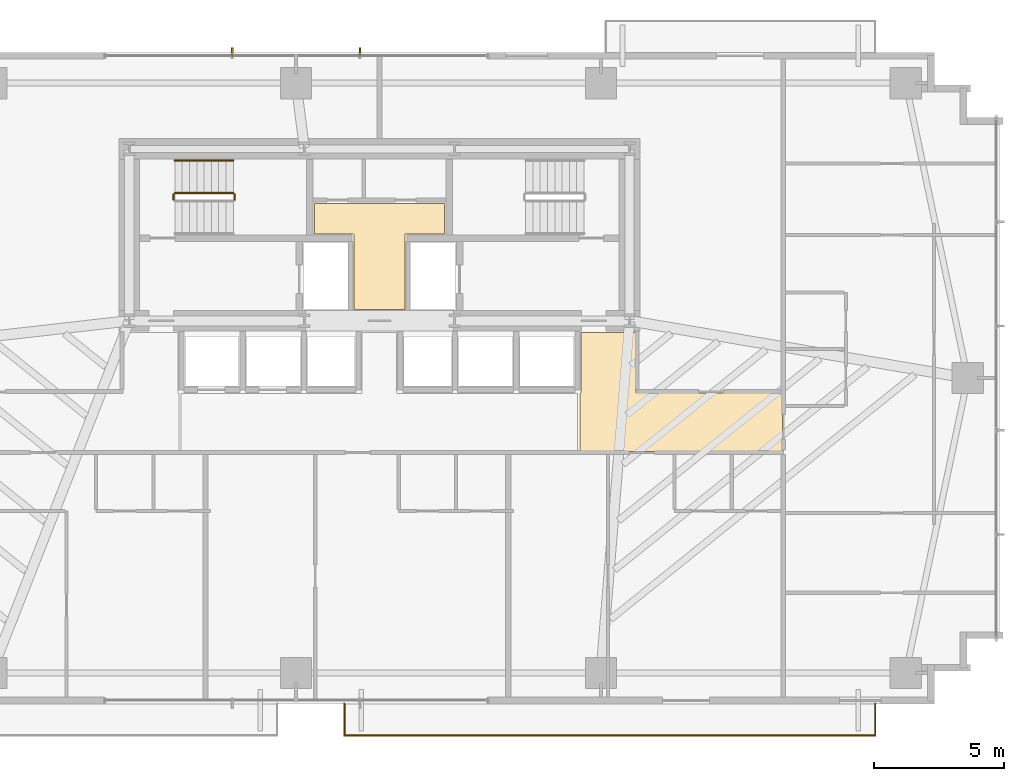
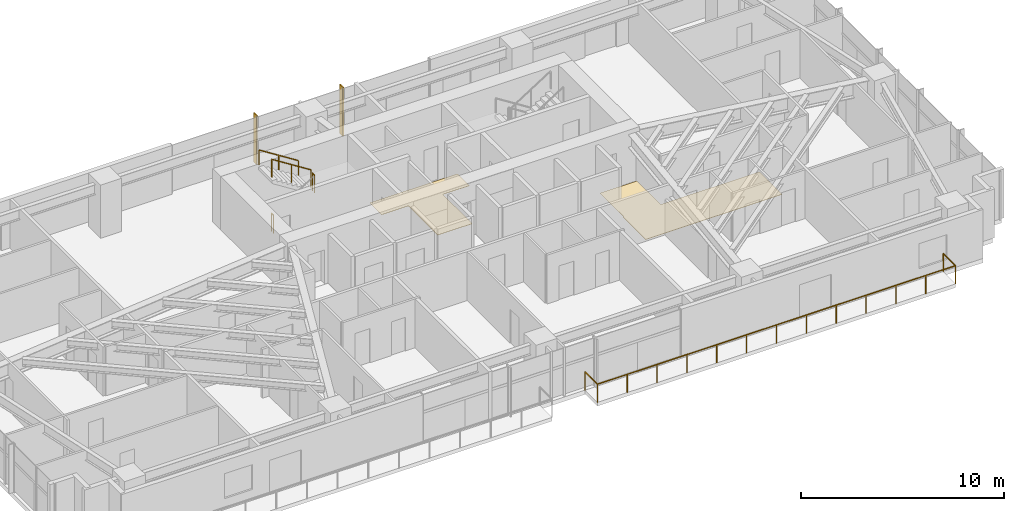
# One storey, part 24 of 25: 5 railings, 2 coverings, 2 shading devices.
"""IFC4 building model written with IfcOpenShell, lengths in metres."""

from ifc_helpers import new_model, si_unit, direction, frame, origin, origin_2d, place, context, subcontext, project, spatial, polyline, rectangle, outline, extrude, source, transform, mapped, material, layer, layer_set, type_object, type_shapes, element, save


model = new_model("IFC4")

# Units and contexts
model_context = context("Model", 3, precision=1e-05, world=origin(), true_north=direction((0.0, 1.0)))
body_context = subcontext(model_context, "Body", "Model", "MODEL_VIEW")
ifc_project = project(units=[si_unit("LENGTHUNIT", "METRE"), si_unit("AREAUNIT", "SQUARE_METRE"), si_unit("VOLUMEUNIT", "CUBIC_METRE"), si_unit("PLANEANGLEUNIT", "RADIAN"), si_unit("MASSUNIT", "GRAM", prefix="KILO")], contexts=[model_context])

# Site, building, storey
site_placement = place(None, origin())
site = spatial("IfcSite", under=ifc_project, at=site_placement, CompositionType="ELEMENT")
building_placement = place(site_placement, origin())
building = spatial("IfcBuilding", under=site, at=building_placement, Name="Astriad Promenade Condominiums", CompositionType="ELEMENT")
storey_placement = place(building_placement, frame((0.0, 0.0, 58.199951171875)))
storey = spatial("IfcBuildingStorey", under=building, at=storey_placement, Name="L16", CompositionType="ELEMENT", Elevation=58.199951171875)

# Coverings
ifc_material_1 = material(Name="Polished Lakefront Terrazzo Flooring")
ifc_layer = layer(ifc_material_1, 0.02001953125)
ifc_layer_set = layer_set([ifc_layer], Name="Polished Lakefront Terrazzo Flooring")
covering_type = type_object("IfcCoveringType", Name="COV-FLOR-TERRAZZO-20", PredefinedType="FLOORING", material=ifc_layer_set)
covering_1_placement = place(storey_placement, origin())
element("IfcCovering", 1, at=covering_1_placement, inside=storey, type_object=covering_type, Name="FLR-L16-CSL", PredefinedType="FLOORING", context=body_context, shape_type="SweptSolid", body=[
    extrude(outline(polyline([(36.97998046875, 20.699951171875), (36.97998046875, 17.840087890625), (35.02001953125, 17.840087890625), (35.02001953125, 20.699951171875), (35.019775390625, 20.703857421875), (35.019287109375, 20.707763671875), (35.018310546875, 20.711669921875), (35.01708984375, 20.71533203125), (35.015380859375, 20.718994140625), (35.01318359375, 20.72216796875), (35.010986328125, 20.725341796875), (35.00830078125, 20.728271484375), (35.00537109375, 20.73095703125), (35.002197265625, 20.7333984375), (34.998779296875, 20.7353515625), (34.995361328125, 20.737060546875), (34.99169921875, 20.73828125), (34.98779296875, 20.7392578125), (34.98388671875, 20.73974609375), (34.97998046875, 20.739990234375), (33.5, 20.739990234375), (33.5, 21.909912109375), (38.5, 21.909912109375), (38.5, 20.739990234375), (37.02001953125, 20.739990234375), (37.01611328125, 20.73974609375), (37.01220703125, 20.7392578125), (37.00830078125, 20.73828125), (37.004638671875, 20.737060546875), (37.001220703125, 20.7353515625), (36.997802734375, 20.7333984375), (36.99462890625, 20.73095703125), (36.99169921875, 20.728271484375), (36.989013671875, 20.725341796875), (36.98681640625, 20.72216796875), (36.984619140625, 20.718994140625), (36.98291015625, 20.71533203125), (36.981689453125, 20.711669921875), (36.980712890625, 20.707763671875), (36.980224609375, 20.703857421875), (36.97998046875, 20.699951171875)])), origin(), (0.0, 0.0, 1.0), 0.02001953125),
])
covering_2_placement = place(storey_placement, origin())
element("IfcCovering", 2, at=covering_2_placement, inside=storey, type_object=covering_type, Name="FLR-L16-COR-1", PredefinedType="FLOORING", context=body_context, shape_type="SweptSolid", body=[
    extrude(outline(polyline([(43.699951171875, 12.389892578125), (43.699951171875, 14.610107421875), (43.703857421875, 14.610107421875), (43.707763671875, 14.61083984375), (43.711669921875, 14.61181640625), (43.71533203125, 14.613037109375), (43.718994140625, 14.61474609375), (43.72216796875, 14.61669921875), (43.725341796875, 14.619140625), (43.728271484375, 14.62158203125), (43.73095703125, 14.62451171875), (43.7333984375, 14.627685546875), (43.7353515625, 14.631103515625), (43.737060546875, 14.634765625), (43.73828125, 14.638427734375), (43.7392578125, 14.64208984375), (43.73974609375, 14.64599609375), (43.739990234375, 14.64990234375), (43.739990234375, 16.9599609375), (45.840087890625, 16.9599609375), (45.840087890625, 14.659912109375), (45.840087890625, 14.656005859375), (45.8408203125, 14.652099609375), (45.841796875, 14.6484375), (45.843017578125, 14.644775390625), (45.8447265625, 14.64111328125), (45.8466796875, 14.6376953125), (45.84912109375, 14.634521484375), (45.851806640625, 14.631591796875), (45.8544921875, 14.629150390625), (45.85791015625, 14.626708984375), (45.861083984375, 14.624755859375), (45.86474609375, 14.623046875), (45.868408203125, 14.62158203125), (45.872314453125, 14.620849609375), (45.876220703125, 14.6201171875), (45.8798828125, 14.6201171875), (51.4599609375, 14.6201171875), (51.4599609375, 12.389892578125), (43.699951171875, 12.389892578125)])), origin(), (0.0, 0.0, 1.0), 0.02001953125),
])

# Shading devices
ifc_material_2 = material(Name="Anodised aluminium 6063-T6 Black Fin", Category="aluminium")
shading_device_type = type_object("IfcShadingDeviceType", Name="FIN-BLACK-320", PredefinedType="USERDEFINED", material=ifc_material_2)
shared_shape_1 = source(origin(), body_context, "Body", "SweptSolid", [
    extrude(rectangle(XDim=0.06494140625, YDim=0.320068359375, at=origin_2d()), origin(), (0.0, 0.0, 1.0), 2.93994140625),
])
type_shapes(shading_device_type, [shared_shape_1])
for number, where, z_axis, x_axis, name in (
    (3, (30.35009765625, 27.7099609375, 0.0), (0.0, 0.0, 1.0), (1.0, 0.0, 0.0), "CW-L16-N-FIN-01"),
    (4, (35.25, 27.7099609375, 0.0), (0.0, 0.0, 1.0), (1.0, 0.0, 0.0), "CW-L16-N-FIN-02"),
):
    element("IfcShadingDevice", number, at=place(storey_placement, frame(where, z_axis=z_axis, x_axis=x_axis)), inside=storey, type_object=shading_device_type, Name=name, ObjectType="FIN", PredefinedType="USERDEFINED", context=body_context, shape_type="MappedRepresentation", body=[
        mapped(shared_shape_1, transform((0.0, 0.0, 0.0), scale=1.0)),
    ])

# Railings
ifc_material_3 = material(Name="Laminated Glass and Stainless Steel Balustrade", Category="steel")
railing_type_1 = type_object("IfcRailingType", Name="GRD-BALC-1120", PredefinedType="BALUSTRADE", material=ifc_material_3)
shared_shape_2 = source(origin(), body_context, "Body", "SweptSolid", [
    extrude(rectangle(XDim=0.048095703125, YDim=0.048095703125, at=origin_2d()), frame((0.0, 0.0, 1.09619140625), z_axis=(0.0, -1.0, 0.0), x_axis=(1.0, 0.0, 0.0)), (0.0, 0.0, 1.0), 1.219970703125),
    extrude(rectangle(XDim=0.048095703125, YDim=0.048095703125, at=origin_2d()), frame((0.0, -1.219970703125, 1.09619140625), z_axis=(1.0, 0.0, 0.0), x_axis=(0.0, 1.0, 0.0)), (0.0, 0.0, 1.0), 20.37109375),
    extrude(rectangle(XDim=0.048095703125, YDim=0.048095703125, at=origin_2d()), frame((20.37109375, -1.219970703125, 1.09619140625), z_axis=(0.0, 1.0, 0.0), x_axis=(-1.0, 0.0, 0.0)), (0.0, 0.0, 1.0), 1.219970703125),
    extrude(rectangle(XDim=0.0419921875, YDim=0.0419921875, at=origin_2d()), origin(), (0.0, 0.0, 1.0), 1.072021484375),
    extrude(rectangle(XDim=0.0419921875, YDim=0.0419921875, at=origin_2d()), frame((0.0, -1.219970703125, 0.0)), (0.0, 0.0, 1.0), 1.072021484375),
    extrude(rectangle(XDim=0.0419921875, YDim=0.0419921875, at=origin_2d()), frame((1.697509765625, -1.219970703125, 0.0)), (0.0, 0.0, 1.0), 1.072021484375),
    extrude(rectangle(XDim=0.0419921875, YDim=0.0419921875, at=origin_2d()), frame((3.395263671875, -1.219970703125, 0.0)), (0.0, 0.0, 1.0), 1.072021484375),
    extrude(rectangle(XDim=0.0419921875, YDim=0.0419921875, at=origin_2d()), frame((5.0927734375, -1.219970703125, 0.0)), (0.0, 0.0, 1.0), 1.072021484375),
    extrude(rectangle(XDim=0.0419921875, YDim=0.0419921875, at=origin_2d()), frame((6.790283203125, -1.219970703125, 0.0)), (0.0, 0.0, 1.0), 1.072021484375),
    extrude(rectangle(XDim=0.0419921875, YDim=0.0419921875, at=origin_2d()), frame((8.488037109375, -1.219970703125, 0.0)), (0.0, 0.0, 1.0), 1.072021484375),
    extrude(rectangle(XDim=0.0419921875, YDim=0.0419921875, at=origin_2d()), frame((10.185546875, -1.219970703125, 0.0)), (0.0, 0.0, 1.0), 1.072021484375),
    extrude(rectangle(XDim=0.0419921875, YDim=0.0419921875, at=origin_2d()), frame((11.883056640625, -1.219970703125, 0.0)), (0.0, 0.0, 1.0), 1.072021484375),
    extrude(rectangle(XDim=0.0419921875, YDim=0.0419921875, at=origin_2d()), frame((13.580810546875, -1.219970703125, 0.0)), (0.0, 0.0, 1.0), 1.072021484375),
    extrude(rectangle(XDim=0.0419921875, YDim=0.0419921875, at=origin_2d()), frame((15.2783203125, -1.219970703125, 0.0)), (0.0, 0.0, 1.0), 1.072021484375),
    extrude(rectangle(XDim=0.0419921875, YDim=0.0419921875, at=origin_2d()), frame((16.975830078125, -1.219970703125, 0.0)), (0.0, 0.0, 1.0), 1.072021484375),
    extrude(rectangle(XDim=0.0419921875, YDim=0.0419921875, at=origin_2d()), frame((18.673583984375, -1.219970703125, 0.0)), (0.0, 0.0, 1.0), 1.072021484375),
    extrude(rectangle(XDim=0.0419921875, YDim=0.0419921875, at=origin_2d()), frame((20.37109375, -1.219970703125, 0.0)), (0.0, 0.0, 1.0), 1.072021484375),
    extrude(rectangle(XDim=0.0419921875, YDim=0.0419921875, at=origin_2d()), frame((20.37109375, 0.0, 0.0)), (0.0, 0.0, 1.0), 1.072021484375),
])
type_shapes(railing_type_1, [shared_shape_2])
railing_1_placement = place(storey_placement, frame((34.656005859375, 2.699951171875, 0.0)))
element("IfcRailing", 5, at=railing_1_placement, inside=storey, type_object=railing_type_1, Name="GRD-BALC-L16-SE", PredefinedType="BALUSTRADE", context=body_context, shape_type="MappedRepresentation", body=[
    mapped(shared_shape_2, transform((0.0, 0.0, 0.0), scale=1.0)),
])
ifc_material_4 = material(Name="Painted Galvanised Steel Guardrail", Category="steel")
railing_type_2 = type_object("IfcRailingType", Name="GRD-STAIR-1100", PredefinedType="GUARDRAIL", material=ifc_material_4)
shared_shape_3 = source(origin(), body_context, "Body", "SweptSolid", [
    extrude(rectangle(XDim=0.048095703125, YDim=0.048095703125, at=origin_2d()), frame((0.0, 0.0, 1.076171875), z_axis=(0.0, 1.0, 0.0), x_axis=(-1.0, 0.0, 0.0)), (0.0, 0.0, 1.0), 0.199951171875),
    extrude(rectangle(XDim=0.0419921875, YDim=0.0419921875, at=origin_2d()), origin(), (0.0, 0.0, 1.0), 1.052001953125),
    extrude(rectangle(XDim=0.0419921875, YDim=0.0419921875, at=origin_2d()), frame((0.0, 0.199951171875, 0.0)), (0.0, 0.0, 1.0), 1.052001953125),
])
for number, where, name in (
    (6, (30.43994140625, 22.050048828125, 1.60009765625), "L16 ST-1 stair guard 2"),
    (7, (28.10009765625, 22.050048828125, 0.0), "L16 ST-1 stair guard 4"),
):
    element("IfcRailing", number, at=place(storey_placement, frame(where)), inside=storey, type_object=railing_type_2, Name=name, PredefinedType="GUARDRAIL", context=body_context, shape_type="MappedRepresentation", body=[
        mapped(shared_shape_3, transform((0.0, 0.0, 0.0), scale=1.0)),
    ])
shared_shape_4 = source(origin(), body_context, "Body", "SweptSolid", [
    extrude(rectangle(XDim=0.048095703125, YDim=0.048095703125, at=origin_2d()), frame((0.0, 0.0, 1.076171875), z_axis=(-0.8442293374, 0.0, 0.53598211339), x_axis=(0.0, -1.0, 0.0)), (0.0, 0.0, 1.0), 2.6533203125),
    extrude(rectangle(XDim=0.0419921875, YDim=0.0419921875, at=origin_2d()), origin(), (0.0, 0.0, 1.0), 1.052001953125),
    extrude(rectangle(XDim=0.0419921875, YDim=0.0419921875, at=origin_2d()), frame((-1.1201171875, 0.0, 0.7109375)), (0.0, 0.0, 1.0), 1.052001953125),
    extrude(rectangle(XDim=0.0419921875, YDim=0.0419921875, at=origin_2d()), frame((-2.239990234375, 0.0, 1.422119140625)), (0.0, 0.0, 1.0), 1.052001953125),
])
type_shapes(railing_type_2, [shared_shape_3, shared_shape_4])
railing_2_placement = place(storey_placement, frame((30.389892578125, 22.300048828125, 1.77783203125)))
element("IfcRailing", 8, at=railing_2_placement, inside=storey, type_object=railing_type_2, Name="L16 ST-1 stair guard 3", PredefinedType="GUARDRAIL", context=body_context, shape_type="MappedRepresentation", body=[
    mapped(shared_shape_4, transform((0.0, 0.0, 0.0), scale=1.0)),
])
ifc_material_5 = material(Name="Brushed Stainless Steel Handrail", Category="steel")
railing_type_3 = type_object("IfcRailingType", Name="HRL-STAIR-920", PredefinedType="HANDRAIL", material=ifc_material_5)
shared_shape_5 = source(origin(), body_context, "Body", "SweptSolid", [
    extrude(rectangle(XDim=0.048095703125, YDim=0.048095703125, at=origin_2d()), frame((0.0, 0.0, 0.8759765625), z_axis=(-0.8442293374, 0.0, 0.53598211339), x_axis=(0.0, -1.0, 0.0)), (0.0, 0.0, 1.0), 2.6533203125),
    extrude(rectangle(XDim=0.0419921875, YDim=0.0419921875, at=origin_2d()), origin(), (0.0, 0.0, 1.0), 0.851806640625),
    extrude(rectangle(XDim=0.0419921875, YDim=0.0419921875, at=origin_2d()), frame((-1.1201171875, 0.0, 0.7109375)), (0.0, 0.0, 1.0), 0.851806640625),
    extrude(rectangle(XDim=0.0419921875, YDim=0.0419921875, at=origin_2d()), frame((-2.239990234375, 0.0, 1.422119140625)), (0.0, 0.0, 1.0), 0.851806640625),
])
type_shapes(railing_type_3, [shared_shape_5])
railing_3_placement = place(storey_placement, frame((30.389892578125, 23.550048828125, 1.77783203125)))
element("IfcRailing", 9, at=railing_3_placement, inside=storey, type_object=railing_type_3, Name="L16 ST-1 stair handrail 2", PredefinedType="HANDRAIL", context=body_context, shape_type="MappedRepresentation", body=[
    mapped(shared_shape_5, transform((0.0, 0.0, 0.0), scale=1.0)),
])

save(model, "model.ifc")
